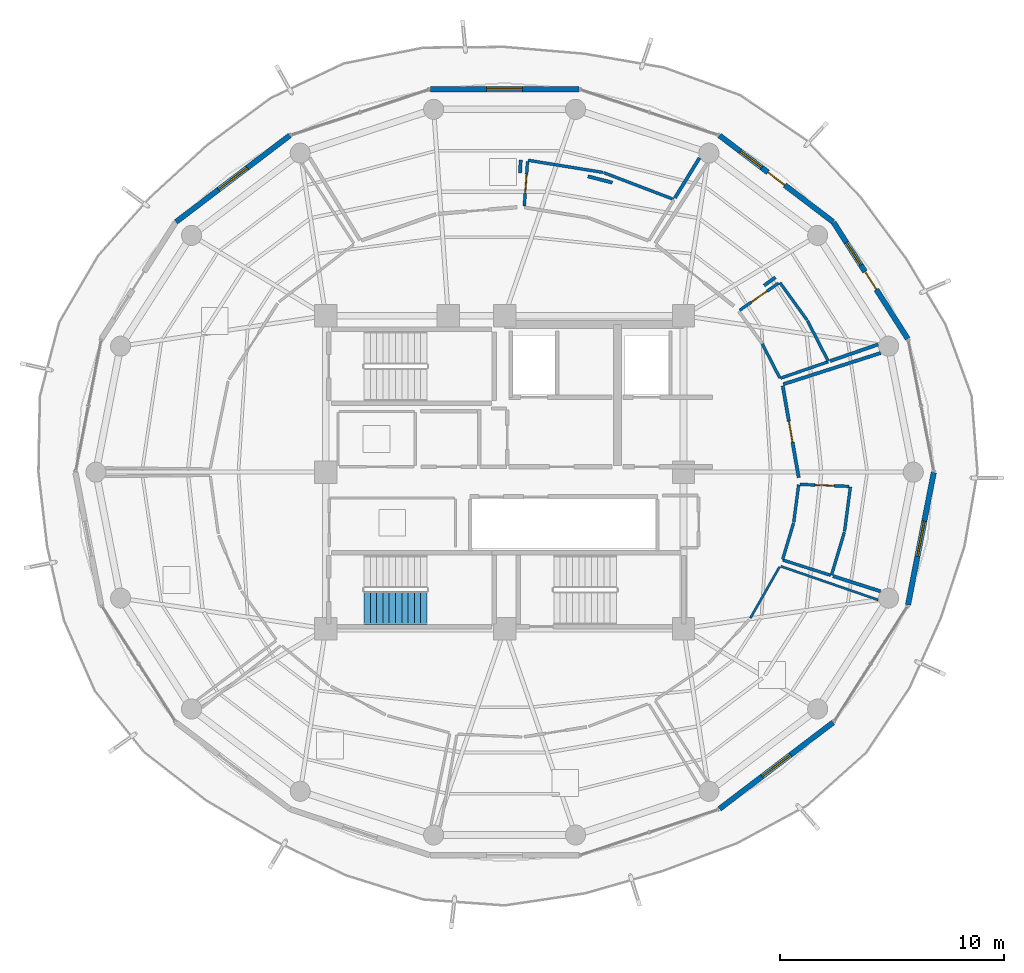
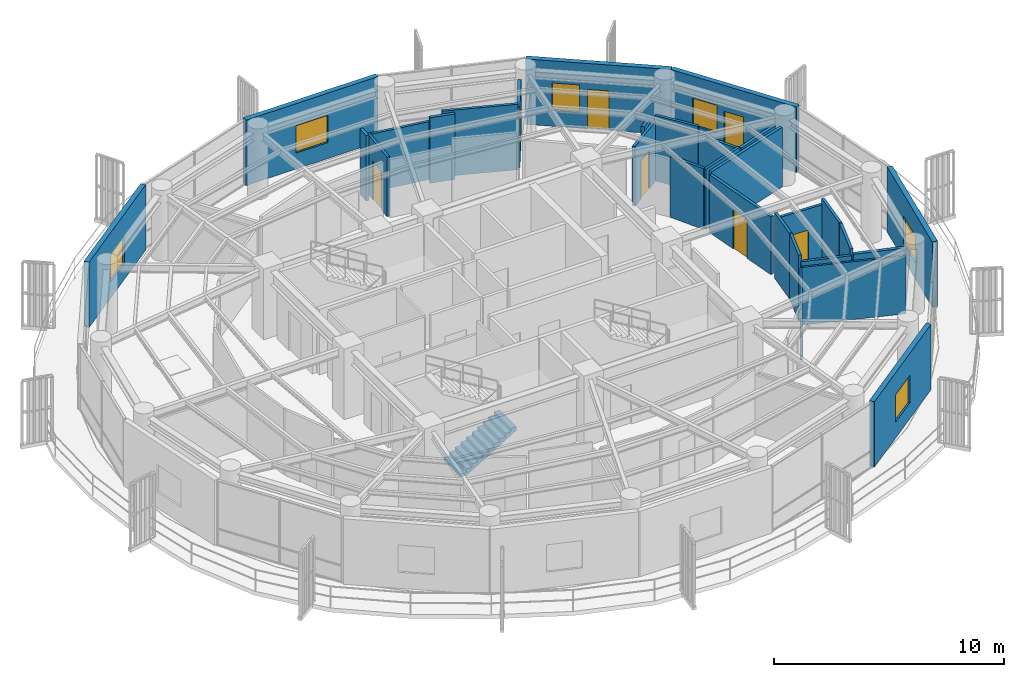
# One storey, part 17 of 22: 30 walls, 6 doors, 6 windows, 1 stair flight, 12 openings, 1 element without a shape of its own.
"""IFC4 building model written with IfcOpenShell, lengths in metres."""

from ifc_helpers import new_model, si_unit, direction, frame, frame_2d, origin, place, context, subcontext, project, spatial, polyline, rectangle, outline, extrude, material, layer, layer_set, type_object, element, fill, aggregate, save


model = new_model("IFC4")

# Units and contexts
model_context = context("Model", 3, precision=1e-05, world=origin(), true_north=direction((0.0, 1.0)))
body_context = subcontext(model_context, "Body", "Model", "MODEL_VIEW")
ifc_project = project(units=[si_unit("LENGTHUNIT", "METRE"), si_unit("AREAUNIT", "SQUARE_METRE"), si_unit("VOLUMEUNIT", "CUBIC_METRE"), si_unit("PLANEANGLEUNIT", "RADIAN"), si_unit("MASSUNIT", "GRAM", prefix="KILO")], contexts=[model_context])

# Site, building, storey
site_placement = place(None, origin())
site = spatial("IfcSite", under=ifc_project, at=site_placement, CompositionType="ELEMENT")
building_placement = place(site_placement, origin())
building = spatial("IfcBuilding", under=site, at=building_placement, Name="Kelanora Arch Commons", CompositionType="ELEMENT")
storey_placement = place(building_placement, frame((0.0, 0.0, 267.449951171875)))
storey = spatial("IfcBuildingStorey", under=building, at=storey_placement, Name="L68", CompositionType="ELEMENT", Elevation=267.449951171875)

# Wall, opening, door
ifc_material_1 = material(Name="Autoclaved aerated concrete blockwork with fire plaster", Category="masonry")
ifc_layer_1 = layer(ifc_material_1, 0.14990234375)
ifc_layer_set_1 = layer_set([ifc_layer_1], Name="Autoclaved aerated concrete blockwork with fire plaster")
wall_type_1 = type_object("IfcWallType", Name="W-COMP-150", PredefinedType="PARTITIONING", material=ifc_layer_set_1)
wall_1_placement = place(storey_placement, frame((87.15576171875, 57.755126953125, 0.0), z_axis=(0.0, 0.0, 1.0), x_axis=(-0.171570913007, 0.985171772743, 0.0)))
wall_1 = element("IfcWall", 1, at=wall_1_placement, inside=storey, type_object=wall_type_1, Name="Co-Living Studio L68-08 Entry Partition", PredefinedType="PARTITIONING", context=body_context, shape_type="SweptSolid", body=[
    extrude(rectangle(XDim=4.170654296875, YDim=0.14990234375, at=frame_2d((2.08544921875, 0.0))), origin(), (0.0, 0.0, 1.0), 3.074951171875),
])
opening_1_placement = place(wall_1_placement, frame((1.610107421875, 0.0, 0.0)))
opening_1 = element("IfcOpeningElement", 2, at=opening_1_placement, cuts=wall_1, Name="Opening D-CLU1", PredefinedType="OPENING", context=body_context, shape_type="SweptSolid", body=[
    extrude(rectangle(XDim=0.949951171875, YDim=2.080078125, at=frame_2d((0.47509765625, 1.0400390625))), frame((0.0, 0.0849609375, 0.0), z_axis=(0.0, -1.0, 0.0), x_axis=(1.0, 0.0, 0.0)), (0.0, 0.0, 1.0), 0.169921875),
])
ifc_material_2 = material(Name="Solid-core acoustic timber cluster entry fire door", Category="wood")
door_type_1 = type_object("IfcDoorType", Name="D-CLU-95", OperationType="NOTDEFINED", PredefinedType="DOOR", material=ifc_material_2)
door_1_placement = place(opening_1_placement, origin())
door_1 = element("IfcDoor", 3, at=door_1_placement, inside=storey, type_object=door_type_1, Name="Co-Living Studio L68-08 Door", OperationType="SINGLE_SWING_LEFT", OverallHeight=2.080078125, OverallWidth=0.949951171875, PredefinedType="DOOR", context=body_context, shape_type="SweptSolid", body=[
    extrude(rectangle(XDim=0.949951171875, YDim=2.080078125, at=frame_2d((0.47509765625, 1.0400390625))), frame((0.0, 0.02490234375, 0.0), z_axis=(0.0, -1.0, 0.0), x_axis=(1.0, 0.0, 0.0)), (0.0, 0.0, 1.0), 0.050048828125),
])
fill(opening_1, door_1)

# Walls
wall_2_placement = place(storey_placement, frame((90.708984375, 63.71337890625, 0.0), z_axis=(0.0, 0.0, 1.0), x_axis=(-0.945132905081, -0.326686075207, 0.0)))
element("IfcWall", 4, at=wall_2_placement, inside=storey, type_object=wall_type_1, Name="Co-Living Studio L68-01 Enclosure Partition 5", PredefinedType="PARTITIONING", context=body_context, shape_type="SweptSolid", body=[
    extrude(rectangle(XDim=2.27197265625, YDim=0.14990234375, at=frame_2d((1.135986328125, 0.0))), origin(), (0.0, 0.0, 1.0), 3.074951171875),
])
wall_3_placement = place(storey_placement, frame((86.11279296875, 66.71435546875, 0.0), z_axis=(0.0, 0.0, 1.0), x_axis=(-0.808362057855, -0.588685640577, 0.0)))
element("IfcWall", 5, at=wall_3_placement, inside=storey, type_object=wall_type_1, Name="Co-Living Studio L68-01 Enclosure Partition 7", PredefinedType="PARTITIONING", context=body_context, shape_type="SweptSolid", body=[
    extrude(rectangle(XDim=0.621337890625, YDim=0.14990234375, at=frame_2d((0.310546875, 0.0))), origin(), (0.0, 0.0, 1.0), 3.175048828125),
])
wall_4_placement = place(storey_placement, frame((82.717041015625, 72.055908203125, 0.0), z_axis=(0.0, 0.0, 1.0), x_axis=(-0.52296822896, -0.852352175746, 0.0)))
element("IfcWall", 6, at=wall_4_placement, inside=storey, type_object=wall_type_1, Name="Co-Living Studio L68-02 Enclosure Partition 6", PredefinedType="PARTITIONING", context=body_context, shape_type="SweptSolid", body=[
    extrude(rectangle(XDim=2.099853515625, YDim=0.14990234375, at=frame_2d((1.0498046875, 0.0))), origin(), (0.0, 0.0, 1.0), 3.235107421875),
])
wall_5_placement = place(storey_placement, frame((78.8212890625, 70.950439453125, 0.0), z_axis=(0.0, 0.0, 1.0), x_axis=(-0.968144207413, 0.25039327797, 0.0)))
element("IfcWall", 7, at=wall_5_placement, inside=storey, type_object=wall_type_1, Name="Co-Living Studio L68-02 Enclosure Partition 7", PredefinedType="PARTITIONING", context=body_context, shape_type="SweptSolid", body=[
    extrude(rectangle(XDim=1.132080078125, YDim=0.14990234375, at=frame_2d((0.56591796875, 0.0))), origin(), (0.0, 0.0, 1.0), 3.47998046875),
])
wall_6_placement = place(storey_placement, frame((74.719970703125, 71.97119140625, 0.0), z_axis=(0.0, 0.0, 1.0), x_axis=(-0.050287101119, -0.998734803369, 0.0)))
element("IfcWall", 8, at=wall_6_placement, inside=storey, type_object=wall_type_1, Name="Co-Living Studio L68-02 Enclosure Partition 8", PredefinedType="PARTITIONING", context=body_context, shape_type="SweptSolid", body=[
    extrude(rectangle(XDim=0.59228515625, YDim=0.14990234375, at=frame_2d((0.296142578125, 0.0))), origin(), (0.0, 0.0, 1.0), 3.47998046875),
])
wall_7_placement = place(storey_placement, frame((86.468017578125, 61.935302734375, 0.0), z_axis=(0.0, 0.0, 1.0), x_axis=(0.95227750557, 0.305233602976, 0.0)))
element("IfcWall", 9, at=wall_7_placement, inside=storey, type_object=wall_type_1, Name="Co-Living Studio L68-08 Enclosure Partition 2", PredefinedType="PARTITIONING", context=body_context, shape_type="SweptSolid", body=[
    extrude(rectangle(XDim=4.5654296875, YDim=0.14990234375, at=frame_2d((2.28271484375, 0.0))), origin(), (0.0, 0.0, 1.0), 3.175048828125),
])
wall_8_placement = place(storey_placement, frame((90.815673828125, 52.6708984375, 0.0), z_axis=(0.0, 0.0, 1.0), x_axis=(-0.952285550261, 0.305208503755, 0.0)))
element("IfcWall", 10, at=wall_8_placement, inside=storey, type_object=wall_type_1, Name="Co-Living Studio L68-08 Enclosure Partition 5", PredefinedType="PARTITIONING", context=body_context, shape_type="SweptSolid", body=[
    extrude(rectangle(XDim=2.23095703125, YDim=0.14990234375, at=frame_2d((1.115478515625, 0.0))), origin(), (0.0, 0.0, 1.0), 3.235107421875),
])

# Wall, openings, door, window
ifc_material_3 = material(Name="Precast concrete C40/50 upper-zone terracotta rainscreen", Category="masonry")
ifc_layer_2 = layer(ifc_material_3, 0.239990234375)
ifc_layer_set_2 = layer_set([ifc_layer_2], Name="Precast concrete C40/50 upper-zone terracotta rainscreen")
wall_type_2 = type_object("IfcWallType", Name="W-EXT-TC2", PredefinedType="SOLIDWALL", material=ifc_layer_set_2)
wall_9_placement = place(storey_placement, frame((92.033935546875, 63.9638671875, 0.0), z_axis=(0.0, 0.0, 1.0), x_axis=(-0.537271968456, 0.843409053728, 0.0)))
wall_9 = element("IfcWall", 11, at=wall_9_placement, inside=storey, type_object=wall_type_2, Name="Terracotta Exterior Wall L68-B01", PredefinedType="SOLIDWALL", context=body_context, shape_type="SweptSolid", body=[
    extrude(rectangle(XDim=6.175048828125, YDim=0.239990234375, at=frame_2d((3.08740234375, 0.0))), origin(), (0.0, 0.0, 1.0), 3.47509765625),
])
opening_2_placement = place(wall_9_placement, frame((2.613037109375, 0.0, 0.0)))
opening_2 = element("IfcOpeningElement", 12, at=opening_2_placement, cuts=wall_9, Name="Opening DB-01", PredefinedType="OPENING", context=body_context, shape_type="SweptSolid", body=[
    extrude(rectangle(XDim=0.949951171875, YDim=2.10009765625, at=frame_2d((0.47509765625, 1.050048828125))), frame((0.0, 0.1298828125, 0.0), z_axis=(0.0, -1.0, 0.0), x_axis=(1.0, 0.0, 0.0)), (0.0, 0.0, 1.0), 0.260009765625),
])
opening_3_placement = place(wall_9_placement, frame((3.9130859375, 0.0, 0.85009765625)))
opening_3 = element("IfcOpeningElement", 13, at=opening_3_placement, cuts=wall_9, Name="Opening WN-02", PredefinedType="OPENING", context=body_context, shape_type="SweptSolid", body=[
    extrude(rectangle(XDim=1.199951171875, YDim=1.449951171875, at=frame_2d((0.60009765625, 0.72509765625))), frame((0.0, 0.1298828125, 0.0), z_axis=(0.0, -1.0, 0.0), x_axis=(1.0, 0.0, 0.0)), (0.0, 0.0, 1.0), 0.260009765625),
])
ifc_material_4 = material(Name="Terracotta-aluminium thermally broken glazed balcony door", Category="masonry")
door_type_2 = type_object("IfcDoorType", Name="D-BAL-10", OperationType="NOTDEFINED", PredefinedType="DOOR", material=ifc_material_4)
door_2_placement = place(opening_2_placement, frame((0.949951171875, 0.0, 0.0), z_axis=(0.0, 0.0, 1.0), x_axis=(-1.0, 0.0, 0.0)))
door_2 = element("IfcDoor", 14, at=door_2_placement, inside=storey, type_object=door_type_2, Name="Wave Balcony Door L68-B01", OperationType="SINGLE_SWING_RIGHT", OverallHeight=2.10009765625, OverallWidth=0.949951171875, PredefinedType="DOOR", context=body_context, shape_type="SweptSolid", body=[
    extrude(rectangle(XDim=0.949951171875, YDim=2.10009765625, at=frame_2d((0.47509765625, 1.050048828125))), frame((0.0, 0.02490234375, 0.0), z_axis=(0.0, -1.0, 0.0), x_axis=(1.0, 0.0, 0.0)), (0.0, 0.0, 1.0), 0.050048828125),
])
fill(opening_2, door_2)
ifc_material_5 = material(Name="Terracotta-anodised aluminium frame with operable awning sash", Category="masonry")
window_type_1 = type_object("IfcWindowType", Name="WIN-CL-12", PartitioningType="SINGLE_PANEL", PredefinedType="WINDOW", material=ifc_material_5)
window_1_placement = place(opening_3_placement, origin())
window_1 = element("IfcWindow", 15, at=window_1_placement, inside=storey, type_object=window_type_1, Name="Co-Living Operable Window L68-B01", OverallHeight=1.449951171875, OverallWidth=1.199951171875, PartitioningType="SINGLE_PANEL", PredefinedType="WINDOW", context=body_context, shape_type="SweptSolid", body=[
    extrude(rectangle(XDim=1.199951171875, YDim=1.449951171875, at=frame_2d((0.60009765625, 0.72509765625))), frame((0.0, 0.030029296875, 0.0), z_axis=(0.0, -1.0, 0.0), x_axis=(1.0, 0.0, 0.0)), (0.0, 0.0, 1.0), 0.06005859375),
])
fill(opening_3, window_1)

wall_10_placement = place(storey_placement, frame((88.6962890625, 69.193603515625, 0.0), z_axis=(0.0, 0.0, 1.0), x_axis=(-0.796010444211, 0.605282886514, 0.0)))
wall_10 = element("IfcWall", 16, at=wall_10_placement, inside=storey, type_object=wall_type_2, Name="Terracotta Exterior Wall L68-B02", PredefinedType="SOLIDWALL", context=body_context, shape_type="SweptSolid", body=[
    extrude(rectangle(XDim=6.387451171875, YDim=0.239990234375, at=frame_2d((3.19384765625, 0.0))), origin(), (0.0, 0.0, 1.0), 3.47509765625),
])
opening_4_placement = place(wall_10_placement, frame((2.718994140625, 0.0, 0.0)))
opening_4 = element("IfcOpeningElement", 17, at=opening_4_placement, cuts=wall_10, Name="Opening DB-01", PredefinedType="OPENING", context=body_context, shape_type="SweptSolid", body=[
    extrude(rectangle(XDim=0.949951171875, YDim=2.10009765625, at=frame_2d((0.47509765625, 1.050048828125))), frame((0.0, 0.1298828125, 0.0), z_axis=(0.0, -1.0, 0.0), x_axis=(1.0, 0.0, 0.0)), (0.0, 0.0, 1.0), 0.260009765625),
])
opening_5_placement = place(wall_10_placement, frame((4.01904296875, 0.0, 0.85009765625)))
opening_5 = element("IfcOpeningElement", 18, at=opening_5_placement, cuts=wall_10, Name="Opening WN-02", PredefinedType="OPENING", context=body_context, shape_type="SweptSolid", body=[
    extrude(rectangle(XDim=1.199951171875, YDim=1.449951171875, at=frame_2d((0.60009765625, 0.72509765625))), frame((0.0, 0.1298828125, 0.0), z_axis=(0.0, -1.0, 0.0), x_axis=(1.0, 0.0, 0.0)), (0.0, 0.0, 1.0), 0.260009765625),
])
door_3_placement = place(opening_4_placement, frame((0.949951171875, 0.0, 0.0), z_axis=(0.0, 0.0, 1.0), x_axis=(-1.0, 0.0, 0.0)))
door_3 = element("IfcDoor", 19, at=door_3_placement, inside=storey, type_object=door_type_2, Name="Wave Balcony Door L68-B02", OperationType="SINGLE_SWING_LEFT", OverallHeight=2.10009765625, OverallWidth=0.949951171875, PredefinedType="DOOR", context=body_context, shape_type="SweptSolid", body=[
    extrude(rectangle(XDim=0.949951171875, YDim=2.10009765625, at=frame_2d((0.47509765625, 1.050048828125))), frame((0.0, 0.02490234375, 0.0), z_axis=(0.0, -1.0, 0.0), x_axis=(1.0, 0.0, 0.0)), (0.0, 0.0, 1.0), 0.050048828125),
])
fill(opening_4, door_3)
window_2_placement = place(opening_5_placement, origin())
window_2 = element("IfcWindow", 20, at=window_2_placement, inside=storey, type_object=window_type_1, Name="Co-Living Operable Window L68-B02", OverallHeight=1.449951171875, OverallWidth=1.199951171875, PartitioningType="SINGLE_PANEL", PredefinedType="WINDOW", context=body_context, shape_type="SweptSolid", body=[
    extrude(rectangle(XDim=1.199951171875, YDim=1.449951171875, at=frame_2d((0.60009765625, 0.72509765625))), frame((0.0, 0.030029296875, 0.0), z_axis=(0.0, -1.0, 0.0), x_axis=(1.0, 0.0, 0.0)), (0.0, 0.0, 1.0), 0.06005859375),
])
fill(opening_5, window_2)

# Wall, opening, window
wall_11_placement = place(storey_placement, frame((77.319091796875, 75.1357421875, 0.0), z_axis=(0.0, 0.0, 1.0), x_axis=(-1.0, 0.0, 0.0)))
wall_11 = element("IfcWall", 21, at=wall_11_placement, inside=storey, type_object=wall_type_2, Name="Terracotta Exterior Wall L68-B04", PredefinedType="SOLIDWALL", context=body_context, shape_type="SweptSolid", body=[
    extrude(rectangle(XDim=6.63818359375, YDim=0.239990234375, at=frame_2d((3.319091796875, 0.0))), origin(), (0.0, 0.0, 1.0), 3.47509765625),
])
opening_6_placement = place(wall_11_placement, frame((2.51904296875, 0.0, 0.85009765625)))
opening_6 = element("IfcOpeningElement", 22, at=opening_6_placement, cuts=wall_11, Name="Opening WN-01", PredefinedType="OPENING", context=body_context, shape_type="SweptSolid", body=[
    extrude(rectangle(XDim=1.60009765625, YDim=1.449951171875, at=frame_2d((0.800048828125, 0.72509765625))), frame((0.0, 0.1298828125, 0.0), z_axis=(0.0, -1.0, 0.0), x_axis=(1.0, 0.0, 0.0)), (0.0, 0.0, 1.0), 0.260009765625),
])
ifc_material_6 = material(Name="Terracotta-anodised aluminium frame with operable low-E glazing", Category="masonry")
window_type_2 = type_object("IfcWindowType", Name="WIN-CL-18", PartitioningType="DOUBLE_PANEL_VERTICAL", PredefinedType="WINDOW", material=ifc_material_6)
window_3_placement = place(opening_6_placement, origin())
window_3 = element("IfcWindow", 23, at=window_3_placement, inside=storey, type_object=window_type_2, Name="Co-Living Operable Window L68-B04", OverallHeight=1.449951171875, OverallWidth=1.60009765625, PartitioningType="SINGLE_PANEL", PredefinedType="WINDOW", context=body_context, shape_type="SweptSolid", body=[
    extrude(rectangle(XDim=1.60009765625, YDim=1.449951171875, at=frame_2d((0.800048828125, 0.72509765625))), frame((0.0, 0.030029296875, 0.0), z_axis=(0.0, -1.0, 0.0), x_axis=(1.0, 0.0, 0.0)), (0.0, 0.0, 1.0), 0.06005859375),
])
fill(opening_6, window_3)

wall_12_placement = place(storey_placement, frame((64.38818359375, 73.059814453125, 0.0), z_axis=(0.0, 0.0, 1.0), x_axis=(-0.796010444211, -0.605282886514, 0.0)))
wall_12 = element("IfcWall", 24, at=wall_12_placement, inside=storey, type_object=wall_type_2, Name="Terracotta Exterior Wall L68-B06", PredefinedType="SOLIDWALL", context=body_context, shape_type="SweptSolid", body=[
    extrude(rectangle(XDim=6.387451171875, YDim=0.239990234375, at=frame_2d((3.19384765625, 0.0))), origin(), (0.0, 0.0, 1.0), 3.47509765625),
])
opening_7_placement = place(wall_12_placement, frame((2.39404296875, 0.0, 0.85009765625)))
opening_7 = element("IfcOpeningElement", 25, at=opening_7_placement, cuts=wall_12, Name="Opening WN-01", PredefinedType="OPENING", context=body_context, shape_type="SweptSolid", body=[
    extrude(rectangle(XDim=1.60009765625, YDim=1.449951171875, at=frame_2d((0.800048828125, 0.72509765625))), frame((0.0, 0.1298828125, 0.0), z_axis=(0.0, -1.0, 0.0), x_axis=(1.0, 0.0, 0.0)), (0.0, 0.0, 1.0), 0.260009765625),
])
window_4_placement = place(opening_7_placement, origin())
window_4 = element("IfcWindow", 26, at=window_4_placement, inside=storey, type_object=window_type_2, Name="Co-Living Operable Window L68-B06", OverallHeight=1.449951171875, OverallWidth=1.60009765625, PartitioningType="SINGLE_PANEL", PredefinedType="WINDOW", context=body_context, shape_type="SweptSolid", body=[
    extrude(rectangle(XDim=1.60009765625, YDim=1.449951171875, at=frame_2d((0.800048828125, 0.72509765625))), frame((0.0, 0.030029296875, 0.0), z_axis=(0.0, -1.0, 0.0), x_axis=(1.0, 0.0, 0.0)), (0.0, 0.0, 1.0), 0.06005859375),
])
fill(opening_7, window_4)

wall_13_placement = place(storey_placement, frame((83.61181640625, 42.940185546875, 0.0), z_axis=(0.0, 0.0, 1.0), x_axis=(0.796010444211, 0.605282886514, 0.0)))
wall_13 = element("IfcWall", 27, at=wall_13_placement, inside=storey, type_object=wall_type_2, Name="Terracotta Exterior Wall L68-B15", PredefinedType="SOLIDWALL", context=body_context, shape_type="SweptSolid", body=[
    extrude(rectangle(XDim=6.387451171875, YDim=0.239990234375, at=frame_2d((3.19384765625, 0.0))), origin(), (0.0, 0.0, 1.0), 3.47509765625),
])
opening_8_placement = place(wall_13_placement, frame((2.39404296875, 0.0, 0.85009765625)))
opening_8 = element("IfcOpeningElement", 28, at=opening_8_placement, cuts=wall_13, Name="Opening WN-01", PredefinedType="OPENING", context=body_context, shape_type="SweptSolid", body=[
    extrude(rectangle(XDim=1.60009765625, YDim=1.449951171875, at=frame_2d((0.800048828125, 0.72509765625))), frame((0.0, 0.1298828125, 0.0), z_axis=(0.0, -1.0, 0.0), x_axis=(1.0, 0.0, 0.0)), (0.0, 0.0, 1.0), 0.260009765625),
])
window_5_placement = place(opening_8_placement, origin())
window_5 = element("IfcWindow", 29, at=window_5_placement, inside=storey, type_object=window_type_2, Name="Co-Living Operable Window L68-B15", OverallHeight=1.449951171875, OverallWidth=1.60009765625, PartitioningType="SINGLE_PANEL", PredefinedType="WINDOW", context=body_context, shape_type="SweptSolid", body=[
    extrude(rectangle(XDim=1.60009765625, YDim=1.449951171875, at=frame_2d((0.800048828125, 0.72509765625))), frame((0.0, 0.030029296875, 0.0), z_axis=(0.0, -1.0, 0.0), x_axis=(1.0, 0.0, 0.0)), (0.0, 0.0, 1.0), 0.06005859375),
])
fill(opening_8, window_5)

wall_14_placement = place(storey_placement, frame((92.044921875, 52.0634765625, 0.0), z_axis=(0.0, 0.0, 1.0), x_axis=(0.190969309115, 0.981596008028, 0.0)))
wall_14 = element("IfcWall", 30, at=wall_14_placement, inside=storey, type_object=wall_type_2, Name="Terracotta Exterior Wall L68-B17", PredefinedType="SOLIDWALL", context=body_context, shape_type="SweptSolid", body=[
    extrude(rectangle(XDim=6.032958984375, YDim=0.239990234375, at=frame_2d((3.0166015625, 0.0))), origin(), (0.0, 0.0, 1.0), 3.47509765625),
])
opening_9_placement = place(wall_14_placement, frame((2.216064453125, 0.0, 0.85009765625)))
opening_9 = element("IfcOpeningElement", 31, at=opening_9_placement, cuts=wall_14, Name="Opening WN-01", PredefinedType="OPENING", context=body_context, shape_type="SweptSolid", body=[
    extrude(rectangle(XDim=1.60009765625, YDim=1.449951171875, at=frame_2d((0.800048828125, 0.72509765625))), frame((0.0, 0.1298828125, 0.0), z_axis=(0.0, -1.0, 0.0), x_axis=(1.0, 0.0, 0.0)), (0.0, 0.0, 1.0), 0.260009765625),
])
window_6_placement = place(opening_9_placement, origin())
window_6 = element("IfcWindow", 32, at=window_6_placement, inside=storey, type_object=window_type_2, Name="Co-Living Operable Window L68-B17", OverallHeight=1.449951171875, OverallWidth=1.60009765625, PartitioningType="SINGLE_PANEL", PredefinedType="WINDOW", context=body_context, shape_type="SweptSolid", body=[
    extrude(rectangle(XDim=1.60009765625, YDim=1.449951171875, at=frame_2d((0.800048828125, 0.72509765625))), frame((0.0, 0.030029296875, 0.0), z_axis=(0.0, -1.0, 0.0), x_axis=(1.0, 0.0, 0.0)), (0.0, 0.0, 1.0), 0.06005859375),
])
fill(opening_9, window_6)

# Walls
ifc_material_7 = material(Name="Lightweight fire-rated acoustic stud partition")
ifc_layer_3 = layer(ifc_material_7, 0.10009765625)
ifc_layer_set_3 = layer_set([ifc_layer_3], Name="Lightweight fire-rated acoustic stud partition")
wall_type_3 = type_object("IfcWallType", Name="W-PART-100", PredefinedType="PARTITIONING", material=ifc_layer_set_3)
wall_15_placement = place(storey_placement, frame((84.993896484375, 51.4716796875, 0.0), z_axis=(0.0, 0.0, 1.0), x_axis=(0.494277588427, 0.869304127207, 0.0)))
element("IfcWall", 33, at=wall_15_placement, inside=storey, type_object=wall_type_3, Name="Communal Dining and Social Hall L68-07 Enclosure Partition 3", PredefinedType="PARTITIONING", context=body_context, shape_type="SweptSolid", body=[
    extrude(rectangle(XDim=2.64306640625, YDim=0.10009765625, at=frame_2d((1.321533203125, 0.0))), origin(), (0.0, 0.0, 1.0), 3.074951171875),
])
wall_16_placement = place(storey_placement, frame((86.35791015625, 53.791015625, 0.0), z_axis=(0.0, 0.0, 1.0), x_axis=(0.945103281494, -0.326771766388, 0.0)))
element("IfcWall", 34, at=wall_16_placement, inside=storey, type_object=wall_type_3, Name="Communal Dining and Social Hall L68-07 Enclosure Partition 4", PredefinedType="PARTITIONING", context=body_context, shape_type="SweptSolid", body=[
    extrude(rectangle(XDim=4.603759765625, YDim=0.10009765625, at=frame_2d((2.3017578125, 0.0))), origin(), (0.0, 0.0, 1.0), 3.074951171875),
])

# Wall, opening, door
ifc_material_8 = material(Name="Moisture-resistant fire-rated cement-board plumbing wall")
ifc_layer_4 = layer(ifc_material_8, 0.1298828125)
ifc_layer_set_4 = layer_set([ifc_layer_4], Name="Moisture-resistant fire-rated cement-board plumbing wall")
wall_type_4 = type_object("IfcWallType", Name="W-WET-120", PredefinedType="PLUMBINGWALL", material=ifc_layer_set_4)
wall_17_placement = place(storey_placement, frame((84.51416015625, 65.241455078125, 0.0), z_axis=(0.0, 0.0, 1.0), x_axis=(0.819922458219, 0.572474595513, 0.0)))
wall_17 = element("IfcWall", 35, at=wall_17_placement, inside=storey, type_object=wall_type_4, Name="En-Suite Shower WC L68-01 Entry Partition", PredefinedType="PLUMBINGWALL", context=body_context, shape_type="SweptSolid", body=[
    extrude(rectangle(XDim=2.124267578125, YDim=0.1298828125, at=frame_2d((1.06201171875, 0.0))), origin(), (0.0, 0.0, 1.0), 3.175048828125),
])
opening_10_placement = place(wall_17_placement, frame((0.632080078125, 0.0, 0.0)))
opening_10 = element("IfcOpeningElement", 36, at=opening_10_placement, cuts=wall_17, Name="Opening D-BT1", PredefinedType="OPENING", context=body_context, shape_type="SweptSolid", body=[
    extrude(rectangle(XDim=0.860107421875, YDim=2.050048828125, at=frame_2d((0.43017578125, 1.02490234375))), frame((0.0, 0.074951171875, 0.0), z_axis=(0.0, -1.0, 0.0), x_axis=(1.0, 0.0, 0.0)), (0.0, 0.0, 1.0), 0.14990234375),
])
ifc_material_9 = material(Name="Moisture-sealed fire-rated accessible bathroom door")
door_type_3 = type_object("IfcDoorType", Name="D-BATH-85", OperationType="NOTDEFINED", PredefinedType="DOOR", material=ifc_material_9)
door_4_placement = place(opening_10_placement, origin())
door_4 = element("IfcDoor", 37, at=door_4_placement, inside=storey, type_object=door_type_3, Name="En-Suite Shower WC L68-01 Door", OperationType="SINGLE_SWING_LEFT", OverallHeight=2.050048828125, OverallWidth=0.860107421875, PredefinedType="DOOR", context=body_context, shape_type="SweptSolid", body=[
    extrude(rectangle(XDim=0.860107421875, YDim=2.050048828125, at=frame_2d((0.43017578125, 1.02490234375))), frame((0.0, 0.02490234375, 0.0), z_axis=(0.0, -1.0, 0.0), x_axis=(1.0, 0.0, 0.0)), (0.0, 0.0, 1.0), 0.050048828125),
])
fill(opening_10, door_4)

wall_18_placement = place(storey_placement, frame((74.88037109375, 69.90380859375, 0.0), z_axis=(0.0, 0.0, 1.0), x_axis=(0.07323666047, 0.997314590068, 0.0)))
wall_18 = element("IfcWall", 38, at=wall_18_placement, inside=storey, type_object=wall_type_4, Name="En-Suite Shower WC L68-02 Entry Partition", PredefinedType="PLUMBINGWALL", context=body_context, shape_type="SweptSolid", body=[
    extrude(rectangle(XDim=1.996826171875, YDim=0.1298828125, at=frame_2d((0.99853515625, 0.0))), origin(), (0.0, 0.0, 1.0), 3.175048828125),
])
opening_11_placement = place(wall_18_placement, frame((0.568115234375, 0.0, 0.0)))
opening_11 = element("IfcOpeningElement", 39, at=opening_11_placement, cuts=wall_18, Name="Opening D-BT1", PredefinedType="OPENING", context=body_context, shape_type="SweptSolid", body=[
    extrude(rectangle(XDim=0.860107421875, YDim=2.050048828125, at=frame_2d((0.43017578125, 1.02490234375))), frame((0.0, 0.074951171875, 0.0), z_axis=(0.0, -1.0, 0.0), x_axis=(1.0, 0.0, 0.0)), (0.0, 0.0, 1.0), 0.14990234375),
])
door_5_placement = place(opening_11_placement, origin())
door_5 = element("IfcDoor", 40, at=door_5_placement, inside=storey, type_object=door_type_3, Name="En-Suite Shower WC L68-02 Door", OperationType="SINGLE_SWING_LEFT", OverallHeight=2.050048828125, OverallWidth=0.860107421875, PredefinedType="DOOR", context=body_context, shape_type="SweptSolid", body=[
    extrude(rectangle(XDim=0.860107421875, YDim=2.050048828125, at=frame_2d((0.43017578125, 1.02490234375))), frame((0.0, 0.02490234375, 0.0), z_axis=(0.0, -1.0, 0.0), x_axis=(1.0, 0.0, 0.0)), (0.0, 0.0, 1.0), 0.050048828125),
])
fill(opening_11, door_5)

wall_19_placement = place(storey_placement, frame((87.2158203125, 57.45556640625, 0.0), z_axis=(0.0, 0.0, 1.0), x_axis=(0.999139994921, -0.041464087462, 0.0)))
wall_19 = element("IfcWall", 41, at=wall_19_placement, inside=storey, type_object=wall_type_4, Name="En-Suite Shower WC L68-08 Entry Partition", PredefinedType="PLUMBINGWALL", context=body_context, shape_type="SweptSolid", body=[
    extrude(rectangle(XDim=2.1962890625, YDim=0.1298828125, at=frame_2d((1.09814453125, 0.0))), origin(), (0.0, 0.0, 1.0), 3.175048828125),
])
opening_12_placement = place(wall_19_placement, frame((0.66796875, 0.0, 0.0)))
opening_12 = element("IfcOpeningElement", 42, at=opening_12_placement, cuts=wall_19, Name="Opening D-BT1", PredefinedType="OPENING", context=body_context, shape_type="SweptSolid", body=[
    extrude(rectangle(XDim=0.860107421875, YDim=2.050048828125, at=frame_2d((0.43017578125, 1.02490234375))), frame((0.0, 0.074951171875, 0.0), z_axis=(0.0, -1.0, 0.0), x_axis=(1.0, 0.0, 0.0)), (0.0, 0.0, 1.0), 0.14990234375),
])
door_6_placement = place(opening_12_placement, origin())
door_6 = element("IfcDoor", 43, at=door_6_placement, inside=storey, type_object=door_type_3, Name="En-Suite Shower WC L68-08 Door", OperationType="SINGLE_SWING_RIGHT", OverallHeight=2.050048828125, OverallWidth=0.860107421875, PredefinedType="DOOR", context=body_context, shape_type="SweptSolid", body=[
    extrude(rectangle(XDim=0.860107421875, YDim=2.050048828125, at=frame_2d((0.43017578125, 1.02490234375))), frame((0.0, 0.02490234375, 0.0), z_axis=(0.0, -1.0, 0.0), x_axis=(1.0, 0.0, 0.0)), (0.0, 0.0, 1.0), 0.050048828125),
])
fill(opening_12, door_6)

# Walls
wall_20_placement = place(storey_placement, frame((86.310791015625, 62.2138671875, 0.0), z_axis=(0.0, 0.0, 1.0), x_axis=(-0.457623641393, 0.889145996357, 0.0)))
element("IfcWall", 44, at=wall_20_placement, inside=storey, type_object=wall_type_4, Name="En-Suite Shower WC L68-01 Enclosure Partition 1", PredefinedType="PLUMBINGWALL", context=body_context, shape_type="SweptSolid", body=[
    extrude(rectangle(XDim=1.720947265625, YDim=0.1298828125, at=frame_2d((0.8603515625, 0.0))), origin(), (0.0, 0.0, 1.0), 3.235107421875),
])
wall_21_placement = place(storey_placement, frame((86.316650390625, 66.475830078125, 0.0), z_axis=(0.0, 0.0, 1.0), x_axis=(0.587023823839, -0.809569657438, 0.0)))
element("IfcWall", 45, at=wall_21_placement, inside=storey, type_object=wall_type_4, Name="En-Suite Shower WC L68-01 Enclosure Partition 4", PredefinedType="PLUMBINGWALL", context=body_context, shape_type="SweptSolid", body=[
    extrude(rectangle(XDim=2.0625, YDim=0.1298828125, at=frame_2d((1.03125, 0.0))), origin(), (0.0, 0.0, 1.0), 3.47998046875),
])
wall_22_placement = place(storey_placement, frame((87.548095703125, 64.772216796875, 0.0), z_axis=(0.0, 0.0, 1.0), x_axis=(0.456453063126, -0.889747492923, 0.0)))
element("IfcWall", 46, at=wall_22_placement, inside=storey, type_object=wall_type_4, Name="En-Suite Shower WC L68-01 Enclosure Partition 5", PredefinedType="PLUMBINGWALL", context=body_context, shape_type="SweptSolid", body=[
    extrude(rectangle(XDim=2.03466796875, YDim=0.1298828125, at=frame_2d((1.017333984375, 0.0))), origin(), (0.0, 0.0, 1.0), 3.074951171875),
])
wall_23_placement = place(storey_placement, frame((88.467041015625, 62.9375, 0.0), z_axis=(0.0, 0.0, 1.0), x_axis=(-0.94520115701, -0.326488549244, 0.0)))
element("IfcWall", 47, at=wall_23_placement, inside=storey, type_object=wall_type_4, Name="En-Suite Shower WC L68-01 Enclosure Partition 6", PredefinedType="PLUMBINGWALL", context=body_context, shape_type="SweptSolid", body=[
    extrude(rectangle(XDim=2.25146484375, YDim=0.1298828125, at=frame_2d((1.125732421875, 0.0))), origin(), (0.0, 0.0, 1.0), 3.175048828125),
])
wall_24_placement = place(storey_placement, frame((75.05078125, 71.951904296875, 0.0), z_axis=(0.0, 0.0, 1.0), x_axis=(0.98707312965, -0.160270511081, 0.0)))
element("IfcWall", 48, at=wall_24_placement, inside=storey, type_object=wall_type_4, Name="En-Suite Shower WC L68-02 Enclosure Partition 4", PredefinedType="PLUMBINGWALL", context=body_context, shape_type="SweptSolid", body=[
    extrude(rectangle(XDim=3.38623046875, YDim=0.1298828125, at=frame_2d((1.693115234375, 0.0))), origin(), (0.0, 0.0, 1.0), 3.074951171875),
])
wall_25_placement = place(storey_placement, frame((78.431640625, 71.39892578125, 0.0), z_axis=(0.0, 0.0, 1.0), x_axis=(0.934194091529, -0.356765187978, 0.0)))
element("IfcWall", 49, at=wall_25_placement, inside=storey, type_object=wall_type_4, Name="En-Suite Shower WC L68-02 Enclosure Partition 5", PredefinedType="PLUMBINGWALL", context=body_context, shape_type="SweptSolid", body=[
    extrude(rectangle(XDim=3.34912109375, YDim=0.1298828125, at=frame_2d((1.674560546875, 0.0))), origin(), (0.0, 0.0, 1.0), 3.47998046875),
])
wall_26_placement = place(storey_placement, frame((86.435791015625, 54.09619140625, 0.0), z_axis=(0.0, 0.0, 1.0), x_axis=(0.287308367232, 0.957838139833, 0.0)))
element("IfcWall", 50, at=wall_26_placement, inside=storey, type_object=wall_type_4, Name="En-Suite Shower WC L68-08 Enclosure Partition 1", PredefinedType="PLUMBINGWALL", context=body_context, shape_type="SweptSolid", body=[
    extrude(rectangle(XDim=1.700439453125, YDim=0.1298828125, at=frame_2d((0.85009765625, 0.0))), origin(), (0.0, 0.0, 1.0), 3.47998046875),
])
wall_27_placement = place(storey_placement, frame((86.9326171875, 55.763916015625, 0.0), z_axis=(0.0, 0.0, 1.0), x_axis=(0.130686363399, 0.991423761275, 0.0)))
element("IfcWall", 51, at=wall_27_placement, inside=storey, type_object=wall_type_4, Name="En-Suite Shower WC L68-08 Enclosure Partition 2", PredefinedType="PLUMBINGWALL", context=body_context, shape_type="SweptSolid", body=[
    extrude(rectangle(XDim=1.688720703125, YDim=0.1298828125, at=frame_2d((0.84423828125, 0.0))), origin(), (0.0, 0.0, 1.0), 3.47998046875),
])
wall_28_placement = place(storey_placement, frame((89.46728515625, 57.34228515625, 0.0), z_axis=(0.0, 0.0, 1.0), x_axis=(-0.130467152696, -0.991452632286, 0.0)))
element("IfcWall", 52, at=wall_28_placement, inside=storey, type_object=wall_type_4, Name="En-Suite Shower WC L68-08 Enclosure Partition 4", PredefinedType="PLUMBINGWALL", context=body_context, shape_type="SweptSolid", body=[
    extrude(rectangle(XDim=1.99853515625, YDim=0.1298828125, at=frame_2d((0.999267578125, 0.0))), origin(), (0.0, 0.0, 1.0), 3.47998046875),
])
wall_29_placement = place(storey_placement, frame((89.1982421875, 55.32177734375, 0.0), z_axis=(0.0, 0.0, 1.0), x_axis=(-0.286890981069, -0.957963237803, 0.0)))
element("IfcWall", 53, at=wall_29_placement, inside=storey, type_object=wall_type_4, Name="En-Suite Shower WC L68-08 Enclosure Partition 5", PredefinedType="PLUMBINGWALL", context=body_context, shape_type="SweptSolid", body=[
    extrude(rectangle(XDim=2.010009765625, YDim=0.1298828125, at=frame_2d((1.0048828125, 0.0))), origin(), (0.0, 0.0, 1.0), 3.47998046875),
])
wall_30_placement = place(storey_placement, frame((88.596923828125, 53.383056640625, 0.0), z_axis=(0.0, 0.0, 1.0), x_axis=(-0.952372601519, 0.304936760454, 0.0)))
element("IfcWall", 54, at=wall_30_placement, inside=storey, type_object=wall_type_4, Name="En-Suite Shower WC L68-08 Enclosure Partition 6", PredefinedType="PLUMBINGWALL", context=body_context, shape_type="SweptSolid", body=[
    extrude(rectangle(XDim=2.25537109375, YDim=0.1298828125, at=frame_2d((1.127685546875, 0.0))), origin(), (0.0, 0.0, 1.0), 3.175048828125),
])

# Stair, stair flight
ifc_material_10 = material(Name="Concrete C40/50", Category="concrete")
stair_type = type_object("IfcStairType", Name="STR-DL-375", PredefinedType="HALF_TURN_STAIR", material=ifc_material_10)
stair_placement = place(storey_placement, origin())
stair = element("IfcStair", 55, at=stair_placement, inside=storey, type_object=stair_type, Name="L68 ST-T3", PredefinedType="HALF_TURN_STAIR")
stair_flight_type = type_object("IfcStairFlightType", Name="FLT-DL-375", PredefinedType="STRAIGHT", material=ifc_material_10)
stair_flight_placement = place(storey_placement, frame((67.719970703125, 51.919921875, 0.0), z_axis=(0.0, 0.0, 1.0), x_axis=(1.0, 0.0, 0.0)))
stair_flight = element("IfcStairFlight", 56, at=stair_flight_placement, type_object=stair_flight_type, Name="ST-T3 flight 1", NumberOfRisers=11, NumberOfTreads=10, PredefinedType="STRAIGHT", RiserHeight=0.170454545, TreadLength=0.28, context=body_context, shape_type="SweptSolid", body=[
    extrude(outline(polyline([(0.0, 0.0), (0.0, 0.17041015625), (0.280029296875, 0.17041015625), (0.280029296875, 0.3408203125), (0.56005859375, 0.3408203125), (0.56005859375, 0.511474609375), (0.840087890625, 0.511474609375), (0.840087890625, 0.681884765625), (1.1201171875, 0.681884765625), (1.1201171875, 0.852294921875), (1.39990234375, 0.852294921875), (1.39990234375, 1.022705078125), (1.679931640625, 1.022705078125), (1.679931640625, 1.193115234375), (1.9599609375, 1.193115234375), (1.9599609375, 1.363525390625), (2.239990234375, 1.363525390625), (2.239990234375, 1.5341796875), (2.52001953125, 1.5341796875), (2.52001953125, 1.70458984375), (2.800048828125, 1.70458984375), (2.800048828125, 1.875), (2.800048828125, 1.529052734375), (0.288330078125, 0.0), (0.0, 0.0)])), frame((0.0, 0.739990234375, 0.0), z_axis=(0.0, -1.0, 0.0), x_axis=(1.0, 0.0, 0.0)), (0.0, 0.0, 1.0), 1.47998046875),
])
aggregate(stair, [stair_flight])

save(model, "model.ifc")
